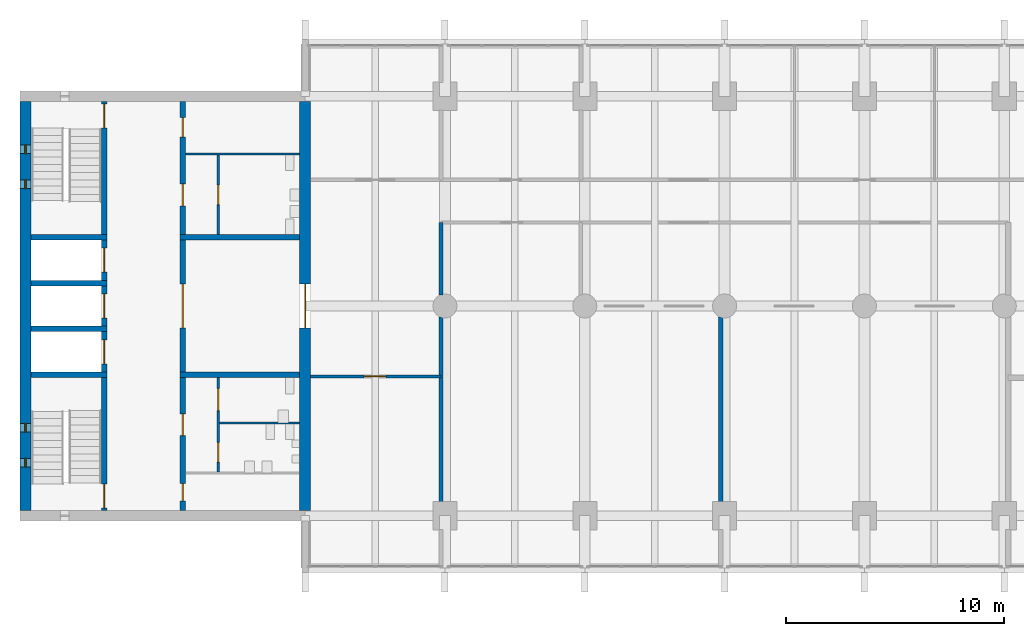
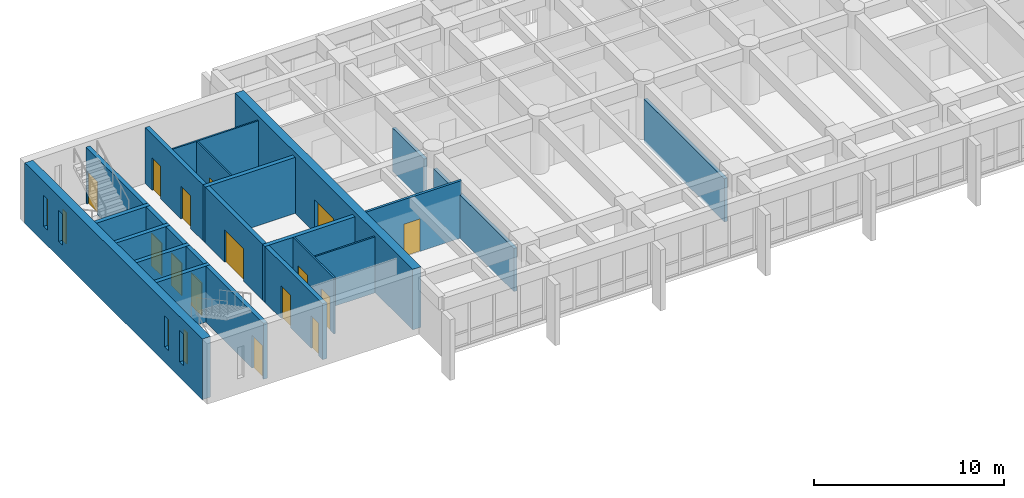
# One storey, part 11 of 19: 24 walls, 15 doors, 4 windows, 19 openings.
"""IFC4 building model written with IfcOpenShell, lengths in metres."""

import ifcopenshell
import ifcopenshell.guid

model = None  # the IFC model being written
_history = None  # IfcOwnerHistory: only IFC2X3 demands one
_inside = {}  # id of a spatial element -> (the spatial element, [elements in it])
_under = {}  # id of a project, library or spatial element -> (it, [spatial elements below it])
_declared = {}  # id of a project -> (the project, [libraries it declares])
_typed = {}  # id of a type object -> (the type object, [elements of that type])
_made_of = {}  # id of a material, layer set ... -> (it, [elements and type objects made of it])


def new_model(schema):
    """Start an empty IFC model of exactly this schema.

    Asked for "IFC4X3", IfcOpenShell would pick the latest addendum, in which some entities
    have other attributes; the version numbers below select the first issue.
    IFC2X3 requires an IfcOwnerHistory on every rooted entity: one is made here for all.
    """
    global model, _history
    if schema == "IFC4X3":
        model = ifcopenshell.file(schema_version=(4, 3, 0, 0))
    else:
        model = ifcopenshell.file(schema=schema)
    _inside.clear()
    _under.clear()
    _declared.clear()
    _typed.clear()
    _made_of.clear()
    _history = None
    if model.schema == "IFC2X3":
        org = make("IfcOrganization", Name="unknown")
        user = make(
            "IfcPersonAndOrganization",
            ThePerson=make("IfcPerson", FamilyName="unknown"),
            TheOrganization=org,
        )
        app = make(
            "IfcApplication",
            ApplicationDeveloper=org,
            Version="unknown",
            ApplicationFullName="unknown",
            ApplicationIdentifier="unknown",
        )
        _history = make(
            "IfcOwnerHistory",
            OwningUser=user,
            OwningApplication=app,
            ChangeAction="ADDED",
            CreationDate=0,
        )
    return model


def make(cls, **values):
    """One entity of the class cls with the attributes given. An attribute that is None is left unset."""
    return model.create_entity(
        cls, **{name: value for name, value in values.items() if value is not None}
    )


def rooted(cls, **values):
    """An entity with a GlobalId (a new one), such as an element, a storey or a relation."""
    return make(cls, GlobalId=ifcopenshell.guid.new(), OwnerHistory=_history, **values)


def si_unit(unit_type, name, prefix=None):
    """IfcSIUnit, for example si_unit("LENGTHUNIT", "METRE", prefix="MILLI")."""
    return make("IfcSIUnit", UnitType=unit_type, Prefix=prefix, Name=name)


def assignment(units):
    """IfcUnitAssignment: the units of a project."""
    return None if units is None else make("IfcUnitAssignment", Units=units)


def point(xyz):
    """IfcCartesianPoint."""
    return None if xyz is None else make("IfcCartesianPoint", Coordinates=xyz)


def direction(xyz):
    """IfcDirection."""
    return None if xyz is None else make("IfcDirection", DirectionRatios=xyz)


def frame(location, z_axis=None, x_axis=None):
    """IfcAxis2Placement3D, a coordinate frame: its origin and axes. An axis left out is left unset."""
    return make(
        "IfcAxis2Placement3D",
        Location=point(location),
        Axis=direction(z_axis),
        RefDirection=direction(x_axis),
    )


def frame_2d(location, x_axis=None):
    """IfcAxis2Placement2D, a coordinate frame in the plane: its origin and x axis."""
    return make(
        "IfcAxis2Placement2D", Location=point(location), RefDirection=direction(x_axis)
    )


def origin():
    """The frame at (0, 0, 0) with its axes left unset."""
    return frame((0.0, 0.0, 0.0))


def place(relative_to, where):
    """IfcLocalPlacement: puts the frame where relative to a parent placement (None: the world)."""
    return make(
        "IfcLocalPlacement", PlacementRelTo=relative_to, RelativePlacement=where
    )


def context(
    kind, dimensions, precision=None, world=None, true_north=None, identifier=None
):
    """IfcGeometricRepresentationContext, for example the 3D "Model" context."""
    return make(
        "IfcGeometricRepresentationContext",
        ContextIdentifier=identifier,
        ContextType=kind,
        CoordinateSpaceDimension=dimensions,
        Precision=precision,
        WorldCoordinateSystem=world,
        TrueNorth=true_north,
    )


def subcontext(parent, identifier, kind, view, scale=None):
    """IfcGeometricRepresentationSubContext, for example "Body" below "Model"."""
    return make(
        "IfcGeometricRepresentationSubContext",
        ContextIdentifier=identifier,
        ContextType=kind,
        ParentContext=parent,
        TargetScale=scale,
        TargetView=view,
    )


def project(units=None, contexts=None):
    """IfcProject with its units and contexts."""
    return rooted(
        "IfcProject",
        Name="project",
        RepresentationContexts=contexts,
        UnitsInContext=assignment(units),
    )


def spatial(cls, under=None, at=None, **own):
    """A site, building, storey or space (cls), placed at a placement, below another one or the project."""
    s = rooted(cls, ObjectPlacement=at, **own)
    if under is not None:
        _under.setdefault(under.id(), (under, []))[1].append(s)
    return s


def profile(cls, at=None, kind="AREA", **sizes):
    """A parametric profile (cls). Its sizes go by their IFC names, for example OverallWidth=200.0."""
    return make(cls, ProfileType=kind, Position=at, **sizes)


def rectangle(**sizes):
    """IfcRectangleProfileDef."""
    return profile("IfcRectangleProfileDef", **sizes)


def extrude(swept, where, along, depth):
    """IfcExtrudedAreaSolid: the profile swept, set in the frame where, extruded along a direction by depth."""
    return make(
        "IfcExtrudedAreaSolid",
        SweptArea=swept,
        Position=where,
        ExtrudedDirection=direction(along),
        Depth=depth,
    )


def shape(context_of_items, identifier, shape_type, items):
    """IfcShapeRepresentation: the items that make up one representation, for example the "Body"."""
    return make(
        "IfcShapeRepresentation",
        ContextOfItems=context_of_items,
        RepresentationIdentifier=identifier,
        RepresentationType=shape_type,
        Items=items,
    )


def material(Name=None, Category=None):
    """IfcMaterial."""
    return make("IfcMaterial", Name=Name, Category=Category)


def layer(
    of_material, thickness, ventilated=None, Name=None, Category=None, Priority=None
):
    """IfcMaterialLayer: one layer of a wall or slab, of a material (None: an air gap)."""
    return make(
        "IfcMaterialLayer",
        Material=of_material,
        LayerThickness=thickness,
        IsVentilated=ventilated,
        Name=Name,
        Category=Category,
        Priority=Priority,
    )


def layer_set(layers, Name=None):
    """IfcMaterialLayerSet."""
    return make("IfcMaterialLayerSet", MaterialLayers=layers, LayerSetName=Name)


def made_of(thing, what):
    """Note that an element or type object is made of a material, layer set ...; save() writes the relation."""
    if what is not None:
        _made_of.setdefault(what.id(), (what, []))[1].append(thing)
    return thing


def type_object(cls, material=None, **own):
    """A type object (cls), such as IfcWallType, which elements share."""
    return made_of(rooted(cls, **own), material)


def element(
    cls,
    number,
    at=None,
    inside=None,
    cuts=None,
    type_object=None,
    material=None,
    context=None,
    identifier="Body",
    shape_type=None,
    held_by="IfcProductDefinitionShape",
    body=None,
    shapes=None,
    **own,
):
    """One element of the class cls, such as IfcWall. Its Tag is "e" and its number.

    at: its placement. inside: the storey or other place that contains it. cuts: it is an
    opening in that element (IfcRelVoidsElement). A single representation is given by context,
    identifier, shape_type and body (its items); several are given by shapes. held_by: the class
    of the entity that holds the representations. save() writes the other relations.
    """
    e = rooted(cls, Tag="e%d" % number, ObjectPlacement=at, **own)
    if body is not None:
        shapes = [shape(context, identifier, shape_type, body)]
    if shapes is not None:
        e.Representation = make(held_by, Representations=shapes)
    if inside is not None:
        _inside.setdefault(inside.id(), (inside, []))[1].append(e)
    if cuts is not None:
        rooted(
            "IfcRelVoidsElement", RelatingBuildingElement=cuts, RelatedOpeningElement=e
        )
    if type_object is not None:
        _typed.setdefault(type_object.id(), (type_object, []))[1].append(e)
    return made_of(e, material)


def fill(opening, filler):
    """IfcRelFillsElement: the door or window that sits in an opening."""
    return rooted(
        "IfcRelFillsElement",
        RelatingOpeningElement=opening,
        RelatedBuildingElement=filler,
    )


def aggregate(whole, parts):
    """IfcRelAggregates: a whole, such as a stair, and the parts it consists of."""
    return rooted("IfcRelAggregates", RelatingObject=whole, RelatedObjects=parts)


def save(model, path):
    """Write the relations noted so far, then the file.

    IfcRelAggregates (storeys below a building ...), IfcRelContainedInSpatialStructure (elements
    in a storey), IfcRelDefinesByType, IfcRelAssociatesMaterial and IfcRelDeclares: one each for
    every whole, place, type object, material and project.
    """
    for whole, parts in _under.values():
        aggregate(whole, parts)
    for where, things in _inside.values():
        rooted(
            "IfcRelContainedInSpatialStructure",
            RelatedElements=things,
            RelatingStructure=where,
        )
    for kind, things in _typed.values():
        rooted("IfcRelDefinesByType", RelatedObjects=things, RelatingType=kind)
    for what, things in _made_of.values():
        rooted("IfcRelAssociatesMaterial", RelatedObjects=things, RelatingMaterial=what)
    for by, libraries in _declared.values():
        rooted("IfcRelDeclares", RelatingContext=by, RelatedDefinitions=libraries)
    model.write(path)


model = new_model("IFC4")

# Units and contexts
model_context = context("Model", 3, precision=1e-05, world=origin(), true_north=direction((0.0, 1.0)))
body_context = subcontext(model_context, "Body", "Model", "MODEL_VIEW")
ifc_project = project(units=[si_unit("LENGTHUNIT", "METRE"), si_unit("AREAUNIT", "SQUARE_METRE"), si_unit("VOLUMEUNIT", "CUBIC_METRE"), si_unit("PLANEANGLEUNIT", "RADIAN"), si_unit("MASSUNIT", "GRAM", prefix="KILO")], contexts=[model_context])

# Site, building, storey
site_placement = place(None, origin())
site = spatial("IfcSite", under=ifc_project, at=site_placement, CompositionType="ELEMENT")
building_placement = place(site_placement, origin())
building = spatial("IfcBuilding", under=site, at=building_placement, Name="Fogon Plaza Fire Station and Headquarters Tower", CompositionType="ELEMENT")
storey_placement = place(building_placement, frame((0.0, 0.0, 17.10009765625)))
storey = spatial("IfcBuildingStorey", under=building, at=storey_placement, Name="L04", CompositionType="ELEMENT", Elevation=17.10009765625)

# Walls
ifc_material_1 = material(Name="Concrete C40", Category="concrete")
ifc_layer_1 = layer(ifc_material_1, 0.25)
ifc_layer_set_1 = layer_set([ifc_layer_1], Name="Concrete C40")
wall_type_1 = type_object("IfcWallType", Name="Core Wall RC 250", PredefinedType="SOLIDWALL", material=ifc_layer_set_1)
for number, where, z_axis, x_axis, name in (
    (1, (13.050048828125, 40.050048828125, 0.0), (0.0, 0.0, 1.0), (1.0, 0.0, 0.0), "Core A shaft wall"),
    (2, (13.050048828125, 42.14990234375, 0.0), (0.0, 0.0, 1.0), (1.0, 0.0, 0.0), "Core A shaft wall"),
    (3, (13.050048828125, 44.25, 0.0), (0.0, 0.0, 1.0), (1.0, 0.0, 0.0), "Core A shaft wall"),
    (4, (13.050048828125, 46.35009765625, 0.0), (0.0, 0.0, 1.0), (1.0, 0.0, 0.0), "Core A shaft wall"),
):
    element("IfcWall", number, at=place(storey_placement, frame(where, z_axis=z_axis, x_axis=x_axis)), inside=storey, type_object=wall_type_1, Name=name, PredefinedType="SOLIDWALL", context=body_context, shape_type="SweptSolid", body=[
        extrude(rectangle(XDim=3.474853515625, YDim=0.25, at=frame_2d((1.7373046875, 0.0))), origin(), (0.0, 0.0, 1.0), 3.599853515625),
    ])

# Wall, opening, door
wall_1_placement = place(storey_placement, frame((16.39990234375, 33.85009765625, 0.0), z_axis=(0.0, 0.0, 1.0), x_axis=(0.0, 1.0, 0.0)))
wall_1 = element("IfcWall", 5, at=wall_1_placement, inside=storey, type_object=wall_type_1, Name="Core A shaft wall", PredefinedType="SOLIDWALL", context=body_context, shape_type="SweptSolid", body=[
    extrude(rectangle(XDim=6.074951171875, YDim=0.25, at=frame_2d((3.03759765625, 0.0))), origin(), (0.0, 0.0, 1.0), 3.599853515625),
])
opening_1_placement = place(wall_1_placement, frame((0.10009765625, 0.0, 0.0)))
opening_1 = element("IfcOpeningElement", 6, at=opening_1_placement, cuts=wall_1, Name="Opening L04-D01", PredefinedType="OPENING", context=body_context, shape_type="SweptSolid", body=[
    extrude(rectangle(XDim=1.10009765625, YDim=2.10009765625, at=frame_2d((0.550048828125, 1.050048828125))), frame((0.0, 0.135009765625, 0.0), z_axis=(0.0, -1.0, 0.0), x_axis=(1.0, 0.0, 0.0)), (0.0, 0.0, 1.0), 0.27001953125),
])
ifc_material_2 = material(Name="Steel Fire Door Leaf", Category="steel")
door_type_1 = type_object("IfcDoorType", Name="Stair Door Single 1100x2100", OperationType="SINGLE_SWING_LEFT", PredefinedType="DOOR", material=ifc_material_2)
door_1_placement = place(opening_1_placement, origin())
door_1 = element("IfcDoor", 7, at=door_1_placement, inside=storey, type_object=door_type_1, Name="Stair door ST1", OperationType="SINGLE_SWING_LEFT", OverallHeight=2.10009765625, OverallWidth=1.10009765625, PredefinedType="DOOR", context=body_context, shape_type="SweptSolid", body=[
    extrude(rectangle(XDim=1.10009765625, YDim=2.10009765625, at=frame_2d((0.550048828125, 1.050048828125))), frame((0.0, 0.02490234375, 0.0), z_axis=(0.0, -1.0, 0.0), x_axis=(1.0, 0.0, 0.0)), (0.0, 0.0, 1.0), 0.050048828125),
])
fill(opening_1, door_1)

wall_2_placement = place(storey_placement, frame((16.39990234375, 40.175048828125, 0.0), z_axis=(0.0, 0.0, 1.0), x_axis=(0.0, 1.0, 0.0)))
wall_2 = element("IfcWall", 8, at=wall_2_placement, inside=storey, type_object=wall_type_1, Name="Core A shaft wall", PredefinedType="SOLIDWALL", context=body_context, shape_type="SweptSolid", body=[
    extrude(rectangle(XDim=1.849853515625, YDim=0.25, at=frame_2d((0.9248046875, 0.0))), origin(), (0.0, 0.0, 1.0), 3.599853515625),
])
opening_2_placement = place(wall_2_placement, frame((0.375, 0.0, 0.0)))
opening_2 = element("IfcOpeningElement", 9, at=opening_2_placement, cuts=wall_2, Name="Opening L04-D03", PredefinedType="OPENING", context=body_context, shape_type="SweptSolid", body=[
    extrude(rectangle(XDim=1.10009765625, YDim=2.10009765625, at=frame_2d((0.550048828125, 1.050048828125))), frame((0.0, 0.135009765625, 0.0), z_axis=(0.0, -1.0, 0.0), x_axis=(1.0, 0.0, 0.0)), (0.0, 0.0, 1.0), 0.27001953125),
])
ifc_material_3 = material(Name="Stainless Steel", Category="steel")
door_type_2 = type_object("IfcDoorType", Name="Lift Landing Door 1100x2100", OperationType="SLIDING_TO_LEFT", PredefinedType="DOOR", material=ifc_material_3)
door_2_placement = place(opening_2_placement, origin())
door_2 = element("IfcDoor", 10, at=door_2_placement, inside=storey, type_object=door_type_2, Name="Lift LP1 landing door", OperationType="SLIDING_TO_LEFT", OverallHeight=2.10009765625, OverallWidth=1.10009765625, PredefinedType="DOOR", context=body_context, shape_type="SweptSolid", body=[
    extrude(rectangle(XDim=1.10009765625, YDim=2.10009765625, at=frame_2d((0.550048828125, 1.050048828125))), frame((0.0, 0.02490234375, 0.0), z_axis=(0.0, -1.0, 0.0), x_axis=(1.0, 0.0, 0.0)), (0.0, 0.0, 1.0), 0.050048828125),
])
fill(opening_2, door_2)

wall_3_placement = place(storey_placement, frame((16.39990234375, 42.27490234375, 0.0), z_axis=(0.0, 0.0, 1.0), x_axis=(0.0, 1.0, 0.0)))
wall_3 = element("IfcWall", 11, at=wall_3_placement, inside=storey, type_object=wall_type_1, Name="Core A shaft wall", PredefinedType="SOLIDWALL", context=body_context, shape_type="SweptSolid", body=[
    extrude(rectangle(XDim=1.85009765625, YDim=0.25, at=frame_2d((0.925048828125, 0.0))), origin(), (0.0, 0.0, 1.0), 3.599853515625),
])
opening_3_placement = place(wall_3_placement, frame((0.375, 0.0, 0.0)))
opening_3 = element("IfcOpeningElement", 12, at=opening_3_placement, cuts=wall_3, Name="Opening L04-D04", PredefinedType="OPENING", context=body_context, shape_type="SweptSolid", body=[
    extrude(rectangle(XDim=1.10009765625, YDim=2.10009765625, at=frame_2d((0.550048828125, 1.050048828125))), frame((0.0, 0.135009765625, 0.0), z_axis=(0.0, -1.0, 0.0), x_axis=(1.0, 0.0, 0.0)), (0.0, 0.0, 1.0), 0.27001953125),
])
door_3_placement = place(opening_3_placement, origin())
door_3 = element("IfcDoor", 13, at=door_3_placement, inside=storey, type_object=door_type_2, Name="Lift LP2 landing door", OperationType="SLIDING_TO_LEFT", OverallHeight=2.10009765625, OverallWidth=1.10009765625, PredefinedType="DOOR", context=body_context, shape_type="SweptSolid", body=[
    extrude(rectangle(XDim=1.10009765625, YDim=2.10009765625, at=frame_2d((0.550048828125, 1.050048828125))), frame((0.0, 0.02490234375, 0.0), z_axis=(0.0, -1.0, 0.0), x_axis=(1.0, 0.0, 0.0)), (0.0, 0.0, 1.0), 0.050048828125),
])
fill(opening_3, door_3)

wall_4_placement = place(storey_placement, frame((16.39990234375, 44.375, 0.0), z_axis=(0.0, 0.0, 1.0), x_axis=(0.0, 1.0, 0.0)))
wall_4 = element("IfcWall", 14, at=wall_4_placement, inside=storey, type_object=wall_type_1, Name="Core A shaft wall", PredefinedType="SOLIDWALL", context=body_context, shape_type="SweptSolid", body=[
    extrude(rectangle(XDim=1.85009765625, YDim=0.25, at=frame_2d((0.925048828125, 0.0))), origin(), (0.0, 0.0, 1.0), 3.599853515625),
])
opening_4_placement = place(wall_4_placement, frame((0.375, 0.0, 0.0)))
opening_4 = element("IfcOpeningElement", 15, at=opening_4_placement, cuts=wall_4, Name="Opening L04-D05", PredefinedType="OPENING", context=body_context, shape_type="SweptSolid", body=[
    extrude(rectangle(XDim=1.10009765625, YDim=2.10009765625, at=frame_2d((0.550048828125, 1.050048828125))), frame((0.0, 0.135009765625, 0.0), z_axis=(0.0, -1.0, 0.0), x_axis=(1.0, 0.0, 0.0)), (0.0, 0.0, 1.0), 0.27001953125),
])
door_4_placement = place(opening_4_placement, origin())
door_4 = element("IfcDoor", 16, at=door_4_placement, inside=storey, type_object=door_type_2, Name="Lift FL1 landing door", OperationType="SLIDING_TO_LEFT", OverallHeight=2.10009765625, OverallWidth=1.10009765625, PredefinedType="DOOR", context=body_context, shape_type="SweptSolid", body=[
    extrude(rectangle(XDim=1.10009765625, YDim=2.10009765625, at=frame_2d((0.550048828125, 1.050048828125))), frame((0.0, 0.02490234375, 0.0), z_axis=(0.0, -1.0, 0.0), x_axis=(1.0, 0.0, 0.0)), (0.0, 0.0, 1.0), 0.050048828125),
])
fill(opening_4, door_4)

wall_5_placement = place(storey_placement, frame((16.39990234375, 46.47509765625, 0.0), z_axis=(0.0, 0.0, 1.0), x_axis=(0.0, 1.0, 0.0)))
wall_5 = element("IfcWall", 17, at=wall_5_placement, inside=storey, type_object=wall_type_1, Name="Core A shaft wall", PredefinedType="SOLIDWALL", context=body_context, shape_type="SweptSolid", body=[
    extrude(rectangle(XDim=6.074951171875, YDim=0.25, at=frame_2d((3.03759765625, 0.0))), origin(), (0.0, 0.0, 1.0), 3.599853515625),
])
opening_5_placement = place(wall_5_placement, frame((4.875, 0.0, 0.0)))
opening_5 = element("IfcOpeningElement", 18, at=opening_5_placement, cuts=wall_5, Name="Opening L04-D02", PredefinedType="OPENING", context=body_context, shape_type="SweptSolid", body=[
    extrude(rectangle(XDim=1.10009765625, YDim=2.10009765625, at=frame_2d((0.550048828125, 1.050048828125))), frame((0.0, 0.135009765625, 0.0), z_axis=(0.0, -1.0, 0.0), x_axis=(1.0, 0.0, 0.0)), (0.0, 0.0, 1.0), 0.27001953125),
])
door_5_placement = place(opening_5_placement, origin())
door_5 = element("IfcDoor", 19, at=door_5_placement, inside=storey, type_object=door_type_1, Name="Stair door ST2", OperationType="SINGLE_SWING_RIGHT", OverallHeight=2.10009765625, OverallWidth=1.10009765625, PredefinedType="DOOR", context=body_context, shape_type="SweptSolid", body=[
    extrude(rectangle(XDim=1.10009765625, YDim=2.10009765625, at=frame_2d((0.550048828125, 1.050048828125))), frame((0.0, 0.02490234375, 0.0), z_axis=(0.0, -1.0, 0.0), x_axis=(1.0, 0.0, 0.0)), (0.0, 0.0, 1.0), 0.050048828125),
])
fill(opening_5, door_5)

# Wall, openings, doors
wall_6_placement = place(storey_placement, frame((20.0, 33.85009765625, 0.0), z_axis=(0.0, 0.0, 1.0), x_axis=(0.0, 1.0, 0.0)))
wall_6 = element("IfcWall", 20, at=wall_6_placement, inside=storey, type_object=wall_type_1, Name="Core A shaft wall", PredefinedType="SOLIDWALL", context=body_context, shape_type="SweptSolid", body=[
    extrude(rectangle(XDim=6.074951171875, YDim=0.25, at=frame_2d((3.03759765625, 0.0))), origin(), (0.0, 0.0, 1.0), 3.599853515625),
])
opening_6_placement = place(wall_6_placement, frame((0.425048828125, 0.0, 0.0)))
opening_6 = element("IfcOpeningElement", 21, at=opening_6_placement, cuts=wall_6, Name="Opening L04-D08", PredefinedType="OPENING", context=body_context, shape_type="SweptSolid", body=[
    extrude(rectangle(XDim=0.800048828125, YDim=2.10009765625, at=frame_2d((0.39990234375, 1.050048828125))), frame((0.0, 0.135009765625, 0.0), z_axis=(0.0, -1.0, 0.0), x_axis=(1.0, 0.0, 0.0)), (0.0, 0.0, 1.0), 0.27001953125),
])
opening_7_placement = place(wall_6_placement, frame((3.41259765625, 0.0, 0.0)))
opening_7 = element("IfcOpeningElement", 22, at=opening_7_placement, cuts=wall_6, Name="Opening L04-D09", PredefinedType="OPENING", context=body_context, shape_type="SweptSolid", body=[
    extrude(rectangle(XDim=1.0, YDim=2.10009765625, at=frame_2d((0.5, 1.050048828125))), frame((0.0, 0.135009765625, 0.0), z_axis=(0.0, -1.0, 0.0), x_axis=(1.0, 0.0, 0.0)), (0.0, 0.0, 1.0), 0.27001953125),
])
ifc_material_4 = material(Name="Timber Door Leaf", Category="wood")
door_type_3 = type_object("IfcDoorType", Name="Cleaner Store Single 800x2100", OperationType="SINGLE_SWING_LEFT", PredefinedType="DOOR", material=ifc_material_4)
door_6_placement = place(opening_6_placement, frame((0.800048828125, 0.0, 0.0), z_axis=(0.0, 0.0, 1.0), x_axis=(-1.0, 0.0, 0.0)))
door_6 = element("IfcDoor", 23, at=door_6_placement, inside=storey, type_object=door_type_3, Name="Cleaner's store A door", OperationType="SINGLE_SWING_RIGHT", OverallHeight=2.10009765625, OverallWidth=0.800048828125, PredefinedType="DOOR", context=body_context, shape_type="SweptSolid", body=[
    extrude(rectangle(XDim=0.800048828125, YDim=2.10009765625, at=frame_2d((0.39990234375, 1.050048828125))), frame((0.0, 0.02490234375, 0.0), z_axis=(0.0, -1.0, 0.0), x_axis=(1.0, 0.0, 0.0)), (0.0, 0.0, 1.0), 0.050048828125),
])
fill(opening_6, door_6)
ifc_material_5 = material(Name="Timber fire door", Category="wood")
door_type_4 = type_object("IfcDoorType", Name="WC Lobby Single 1000x2100", OperationType="SINGLE_SWING_LEFT", PredefinedType="DOOR", material=ifc_material_5)
door_7_placement = place(opening_7_placement, frame((1.0, 0.0, 0.0), z_axis=(0.0, 0.0, 1.0), x_axis=(-1.0, 0.0, 0.0)))
door_7 = element("IfcDoor", 24, at=door_7_placement, inside=storey, type_object=door_type_4, Name="Men's WC lobby A door", OperationType="SINGLE_SWING_LEFT", OverallHeight=2.10009765625, OverallWidth=1.0, PredefinedType="DOOR", context=body_context, shape_type="SweptSolid", body=[
    extrude(rectangle(XDim=1.0, YDim=2.10009765625, at=frame_2d((0.5, 1.050048828125))), frame((0.0, 0.02490234375, 0.0), z_axis=(0.0, -1.0, 0.0), x_axis=(1.0, 0.0, 0.0)), (0.0, 0.0, 1.0), 0.050048828125),
])
fill(opening_7, door_7)

# Wall, opening, door
wall_7_placement = place(storey_placement, frame((20.0, 40.175048828125, 0.0), z_axis=(0.0, 0.0, 1.0), x_axis=(0.0, 1.0, 0.0)))
wall_7 = element("IfcWall", 25, at=wall_7_placement, inside=storey, type_object=wall_type_1, Name="Core A shaft wall", PredefinedType="SOLIDWALL", context=body_context, shape_type="SweptSolid", body=[
    extrude(rectangle(XDim=6.050048828125, YDim=0.25, at=frame_2d((3.02490234375, 0.0))), origin(), (0.0, 0.0, 1.0), 3.599853515625),
])
opening_8_placement = place(wall_7_placement, frame((2.02490234375, 0.0, 0.0)))
opening_8 = element("IfcOpeningElement", 26, at=opening_8_placement, cuts=wall_7, Name="Opening L04-D06", PredefinedType="OPENING", context=body_context, shape_type="SweptSolid", body=[
    extrude(rectangle(XDim=2.0, YDim=2.10009765625, at=frame_2d((1.0, 1.050048828125))), frame((0.0, 0.135009765625, 0.0), z_axis=(0.0, -1.0, 0.0), x_axis=(1.0, 0.0, 0.0)), (0.0, 0.0, 1.0), 0.27001953125),
])
ifc_material_6 = material(Name="Steel Fire Door Leaf", Category="steel")
door_type_5 = type_object("IfcDoorType", Name="Vestibule Double 2000x2100", OperationType="DOUBLE_DOOR_SINGLE_SWING", PredefinedType="DOOR", material=ifc_material_6)
door_8_placement = place(opening_8_placement, frame((2.0, 0.0, 0.0), z_axis=(0.0, 0.0, 1.0), x_axis=(-1.0, 0.0, 0.0)))
door_8 = element("IfcDoor", 27, at=door_8_placement, inside=storey, type_object=door_type_5, Name="Vestibule A door", OperationType="DOUBLE_DOOR_SINGLE_SWING", OverallHeight=2.10009765625, OverallWidth=2.0, PredefinedType="DOOR", context=body_context, shape_type="SweptSolid", body=[
    extrude(rectangle(XDim=2.0, YDim=2.10009765625, at=frame_2d((1.0, 1.050048828125))), frame((0.0, 0.02490234375, 0.0), z_axis=(0.0, -1.0, 0.0), x_axis=(1.0, 0.0, 0.0)), (0.0, 0.0, 1.0), 0.050048828125),
])
fill(opening_8, door_8)

# Wall, openings, doors
wall_8_placement = place(storey_placement, frame((20.0, 46.47509765625, 0.0), z_axis=(0.0, 0.0, 1.0), x_axis=(0.0, 1.0, 0.0)))
wall_8 = element("IfcWall", 28, at=wall_8_placement, inside=storey, type_object=wall_type_1, Name="Core A shaft wall", PredefinedType="SOLIDWALL", context=body_context, shape_type="SweptSolid", body=[
    extrude(rectangle(XDim=6.074951171875, YDim=0.25, at=frame_2d((3.03759765625, 0.0))), origin(), (0.0, 0.0, 1.0), 3.599853515625),
])
opening_9_placement = place(wall_8_placement, frame((1.3125, 0.0, 0.0)))
opening_9 = element("IfcOpeningElement", 29, at=opening_9_placement, cuts=wall_8, Name="Opening L04-D12", PredefinedType="OPENING", context=body_context, shape_type="SweptSolid", body=[
    extrude(rectangle(XDim=1.0, YDim=2.10009765625, at=frame_2d((0.5, 1.050048828125))), frame((0.0, 0.135009765625, 0.0), z_axis=(0.0, -1.0, 0.0), x_axis=(1.0, 0.0, 0.0)), (0.0, 0.0, 1.0), 0.27001953125),
])
opening_10_placement = place(wall_8_placement, frame((4.449951171875, 0.0, 0.0)))
opening_10 = element("IfcOpeningElement", 30, at=opening_10_placement, cuts=wall_8, Name="Opening L04-D14", PredefinedType="OPENING", context=body_context, shape_type="SweptSolid", body=[
    extrude(rectangle(XDim=0.89990234375, YDim=2.10009765625, at=frame_2d((0.449951171875, 1.050048828125))), frame((0.0, 0.135009765625, 0.0), z_axis=(0.0, -1.0, 0.0), x_axis=(1.0, 0.0, 0.0)), (0.0, 0.0, 1.0), 0.27001953125),
])
ifc_material_7 = material(Name="Steel Fire Door Leaf", Category="steel")
door_type_6 = type_object("IfcDoorType", Name="Riser Single 900x2100", OperationType="SINGLE_SWING_LEFT", PredefinedType="DOOR", material=ifc_material_7)
door_9_placement = place(opening_10_placement, frame((0.89990234375, 0.0, 0.0), z_axis=(0.0, 0.0, 1.0), x_axis=(-1.0, 0.0, 0.0)))
door_9 = element("IfcDoor", 31, at=door_9_placement, inside=storey, type_object=door_type_6, Name="Riser room A door", OperationType="SINGLE_SWING_RIGHT", OverallHeight=2.10009765625, OverallWidth=0.89990234375, PredefinedType="DOOR", context=body_context, shape_type="SweptSolid", body=[
    extrude(rectangle(XDim=0.89990234375, YDim=2.10009765625, at=frame_2d((0.449951171875, 1.050048828125))), frame((0.0, 0.02490234375, 0.0), z_axis=(0.0, -1.0, 0.0), x_axis=(1.0, 0.0, 0.0)), (0.0, 0.0, 1.0), 0.050048828125),
])
fill(opening_10, door_9)
door_10_placement = place(opening_9_placement, frame((1.0, 0.0, 0.0), z_axis=(0.0, 0.0, 1.0), x_axis=(-1.0, 0.0, 0.0)))
door_10 = element("IfcDoor", 32, at=door_10_placement, inside=storey, type_object=door_type_4, Name="Women's WC lobby A door", OperationType="SINGLE_SWING_RIGHT", OverallHeight=2.10009765625, OverallWidth=1.0, PredefinedType="DOOR", context=body_context, shape_type="SweptSolid", body=[
    extrude(rectangle(XDim=1.0, YDim=2.10009765625, at=frame_2d((0.5, 1.050048828125))), frame((0.0, 0.02490234375, 0.0), z_axis=(0.0, -1.0, 0.0), x_axis=(1.0, 0.0, 0.0)), (0.0, 0.0, 1.0), 0.050048828125),
])
fill(opening_9, door_10)

# Walls
for number, where, z_axis, x_axis, name in (
    (33, (19.875, 40.050048828125, 0.0), (0.0, 0.0, 1.0), (1.0, 0.0, 0.0), "Core A shaft wall"),
    (34, (19.875, 46.35009765625, 0.0), (0.0, 0.0, 1.0), (1.0, 0.0, 0.0), "Core A shaft wall"),
):
    element("IfcWall", number, at=place(storey_placement, frame(where, z_axis=z_axis, x_axis=x_axis)), inside=storey, type_object=wall_type_1, Name=name, PredefinedType="SOLIDWALL", context=body_context, shape_type="SweptSolid", body=[
        extrude(rectangle(XDim=5.47509765625, YDim=0.25, at=frame_2d((2.737548828125, 0.0))), origin(), (0.0, 0.0, 1.0), 3.599853515625),
    ])

# Wall, openings, doors
ifc_material_8 = material(Name="Blockwork", Category="masonry")
ifc_layer_2 = layer(ifc_material_8, 0.10009765625)
ifc_layer_set_2 = layer_set([ifc_layer_2], Name="Blockwork")
wall_type_2 = type_object("IfcWallType", Name="Partition Blockwork 100", PredefinedType="PARTITIONING", material=ifc_layer_set_2)
wall_9_placement = place(storey_placement, frame((21.625, 35.60009765625, 0.0), z_axis=(0.0, 0.0, 1.0), x_axis=(0.0, 1.0, 0.0)))
wall_9 = element("IfcWall", 35, at=wall_9_placement, inside=storey, type_object=wall_type_2, Name="WC block partition", PredefinedType="PARTITIONING", context=body_context, shape_type="SweptSolid", body=[
    extrude(rectangle(XDim=4.324951171875, YDim=0.10009765625, at=frame_2d((2.16259765625, 0.0))), origin(), (0.0, 0.0, 1.0), 3.599853515625),
])
opening_11_placement = place(wall_9_placement, frame((0.449951171875, 0.0, 0.0)))
opening_11 = element("IfcOpeningElement", 36, at=opening_11_placement, cuts=wall_9, Name="Opening L04-D10", PredefinedType="OPENING", context=body_context, shape_type="SweptSolid", body=[
    extrude(rectangle(XDim=0.89990234375, YDim=2.10009765625, at=frame_2d((0.449951171875, 1.050048828125))), frame((0.0, 0.06005859375, 0.0), z_axis=(0.0, -1.0, 0.0), x_axis=(1.0, 0.0, 0.0)), (0.0, 0.0, 1.0), 0.1201171875),
])
opening_12_placement = place(wall_9_placement, frame((2.8125, 0.0, 0.0)))
opening_12 = element("IfcOpeningElement", 37, at=opening_12_placement, cuts=wall_9, Name="Opening L04-D11", PredefinedType="OPENING", context=body_context, shape_type="SweptSolid", body=[
    extrude(rectangle(XDim=1.0, YDim=2.10009765625, at=frame_2d((0.5, 1.050048828125))), frame((0.0, 0.06005859375, 0.0), z_axis=(0.0, -1.0, 0.0), x_axis=(1.0, 0.0, 0.0)), (0.0, 0.0, 1.0), 0.1201171875),
])
ifc_material_9 = material(Name="Timber Door Leaf", Category="wood")
door_type_7 = type_object("IfcDoorType", Name="Accessible WC Single 1000x2100", OperationType="SINGLE_SWING_LEFT", PredefinedType="DOOR", material=ifc_material_9)
door_11_placement = place(opening_12_placement, frame((1.0, 0.0, 0.0), z_axis=(0.0, 0.0, 1.0), x_axis=(-1.0, 0.0, 0.0)))
door_11 = element("IfcDoor", 38, at=door_11_placement, inside=storey, type_object=door_type_7, Name="Accessible WC A door", OperationType="SINGLE_SWING_LEFT", OverallHeight=2.10009765625, OverallWidth=1.0, PredefinedType="DOOR", context=body_context, shape_type="SweptSolid", body=[
    extrude(rectangle(XDim=1.0, YDim=2.10009765625, at=frame_2d((0.5, 1.050048828125))), frame((0.0, 0.02490234375, 0.0), z_axis=(0.0, -1.0, 0.0), x_axis=(1.0, 0.0, 0.0)), (0.0, 0.0, 1.0), 0.050048828125),
])
fill(opening_12, door_11)
ifc_material_10 = material(Name="Timber Door Leaf", Category="wood")
door_type_8 = type_object("IfcDoorType", Name="WC Single 900x2100", OperationType="SINGLE_SWING_LEFT", PredefinedType="DOOR", material=ifc_material_10)
door_12_placement = place(opening_11_placement, frame((0.89990234375, 0.0, 0.0), z_axis=(0.0, 0.0, 1.0), x_axis=(-1.0, 0.0, 0.0)))
door_12 = element("IfcDoor", 39, at=door_12_placement, inside=storey, type_object=door_type_8, Name="Men's WC A door", OperationType="SINGLE_SWING_RIGHT", OverallHeight=2.10009765625, OverallWidth=0.89990234375, PredefinedType="DOOR", context=body_context, shape_type="SweptSolid", body=[
    extrude(rectangle(XDim=0.89990234375, YDim=2.10009765625, at=frame_2d((0.449951171875, 1.050048828125))), frame((0.0, 0.02490234375, 0.0), z_axis=(0.0, -1.0, 0.0), x_axis=(1.0, 0.0, 0.0)), (0.0, 0.0, 1.0), 0.050048828125),
])
fill(opening_11, door_12)

# Wall
wall_10_placement = place(storey_placement, frame((21.675048828125, 37.85009765625, 0.0), z_axis=(0.0, 0.0, 1.0), x_axis=(1.0, 0.0, 0.0)))
element("IfcWall", 40, at=wall_10_placement, inside=storey, type_object=wall_type_2, Name="WC block partition", PredefinedType="PARTITIONING", context=body_context, shape_type="SweptSolid", body=[
    extrude(rectangle(XDim=3.675048828125, YDim=0.10009765625, at=frame_2d((1.83740234375, 0.0))), origin(), (0.0, 0.0, 1.0), 3.599853515625),
])

# Wall, opening, door
wall_11_placement = place(storey_placement, frame((21.625, 46.47509765625, 0.0), z_axis=(0.0, 0.0, 1.0), x_axis=(0.0, 1.0, 0.0)))
wall_11 = element("IfcWall", 41, at=wall_11_placement, inside=storey, type_object=wall_type_2, Name="WC block partition", PredefinedType="PARTITIONING", context=body_context, shape_type="SweptSolid", body=[
    extrude(rectangle(XDim=3.625, YDim=0.10009765625, at=frame_2d((1.8125, 0.0))), origin(), (0.0, 0.0, 1.0), 3.599853515625),
])
opening_13_placement = place(wall_11_placement, frame((1.362548828125, 0.0, 0.0)))
opening_13 = element("IfcOpeningElement", 42, at=opening_13_placement, cuts=wall_11, Name="Opening L04-D13", PredefinedType="OPENING", context=body_context, shape_type="SweptSolid", body=[
    extrude(rectangle(XDim=0.89990234375, YDim=2.10009765625, at=frame_2d((0.449951171875, 1.050048828125))), frame((0.0, 0.06005859375, 0.0), z_axis=(0.0, -1.0, 0.0), x_axis=(1.0, 0.0, 0.0)), (0.0, 0.0, 1.0), 0.1201171875),
])
door_13_placement = place(opening_13_placement, frame((0.89990234375, 0.0, 0.0), z_axis=(0.0, 0.0, 1.0), x_axis=(-1.0, 0.0, 0.0)))
door_13 = element("IfcDoor", 43, at=door_13_placement, inside=storey, type_object=door_type_8, Name="Women's WC A door", OperationType="SINGLE_SWING_LEFT", OverallHeight=2.10009765625, OverallWidth=0.89990234375, PredefinedType="DOOR", context=body_context, shape_type="SweptSolid", body=[
    extrude(rectangle(XDim=0.89990234375, YDim=2.10009765625, at=frame_2d((0.449951171875, 1.050048828125))), frame((0.0, 0.02490234375, 0.0), z_axis=(0.0, -1.0, 0.0), x_axis=(1.0, 0.0, 0.0)), (0.0, 0.0, 1.0), 0.050048828125),
])
fill(opening_13, door_13)

# Wall
ifc_material_11 = material(Name="Blockwork", Category="masonry")
ifc_layer_3 = layer(ifc_material_11, 0.10009765625)
ifc_layer_set_3 = layer_set([ifc_layer_3], Name="Blockwork")
wall_type_3 = type_object("IfcWallType", Name="Riser Partition Blockwork 100", PredefinedType="PARTITIONING", material=ifc_layer_set_3)
wall_12_placement = place(storey_placement, frame((20.125, 50.14990234375, 0.0), z_axis=(0.0, 0.0, 1.0), x_axis=(1.0, 0.0, 0.0)))
element("IfcWall", 44, at=wall_12_placement, inside=storey, type_object=wall_type_3, Name="Riser room partition", PredefinedType="PARTITIONING", context=body_context, shape_type="SweptSolid", body=[
    extrude(rectangle(XDim=5.22509765625, YDim=0.10009765625, at=frame_2d((2.612548828125, 0.0))), origin(), (0.0, 0.0, 1.0), 3.599853515625),
])

# Wall, opening, door
ifc_material_12 = material(Name="Concrete C40", Category="concrete")
ifc_layer_4 = layer(ifc_material_12, 0.5)
ifc_layer_set_4 = layer_set([ifc_layer_4], Name="Concrete C40")
wall_type_4 = type_object("IfcWallType", Name="Shear wall 500 SW50", PredefinedType="SHEAR", material=ifc_layer_set_4)
wall_13_placement = place(storey_placement, frame((25.60009765625, 33.85009765625, 0.0), z_axis=(0.0, 0.0, 1.0), x_axis=(0.0, 1.0, 0.0)))
wall_13 = element("IfcWall", 45, at=wall_13_placement, inside=storey, type_object=wall_type_4, Name="wall-coreA-E-L04", PredefinedType="SHEAR", context=body_context, shape_type="SweptSolid", body=[
    extrude(rectangle(XDim=18.699951171875, YDim=0.5, at=frame_2d((9.35009765625, 0.0))), origin(), (0.0, 0.0, 1.0), 3.89990234375),
])
opening_14_placement = place(wall_13_placement, frame((8.35009765625, 0.0, 0.0)))
opening_14 = element("IfcOpeningElement", 46, at=opening_14_placement, cuts=wall_13, Name="Opening L04-D07", PredefinedType="OPENING", context=body_context, shape_type="SweptSolid", body=[
    extrude(rectangle(XDim=2.0, YDim=2.10009765625, at=frame_2d((1.0, 1.050048828125))), frame((0.0, 0.260009765625, 0.0), z_axis=(0.0, -1.0, 0.0), x_axis=(1.0, 0.0, 0.0)), (0.0, 0.0, 1.0), 0.52001953125),
])
door_14_placement = place(opening_14_placement, origin())
door_14 = element("IfcDoor", 47, at=door_14_placement, inside=storey, type_object=door_type_5, Name="Vestibule A door to the office zone", OperationType="DOUBLE_DOOR_SINGLE_SWING", OverallHeight=2.10009765625, OverallWidth=2.0, PredefinedType="DOOR", context=body_context, shape_type="SweptSolid", body=[
    extrude(rectangle(XDim=2.0, YDim=2.10009765625, at=frame_2d((1.0, 1.050048828125))), frame((0.0, 0.02490234375, 0.0), z_axis=(0.0, -1.0, 0.0), x_axis=(1.0, 0.0, 0.0)), (0.0, 0.0, 1.0), 0.050048828125),
])
fill(opening_14, door_14)

# Wall, openings, windows
wall_14_placement = place(storey_placement, frame((12.800048828125, 33.85009765625, 0.0), z_axis=(0.0, 0.0, 1.0), x_axis=(0.0, 1.0, 0.0)))
wall_14 = element("IfcWall", 48, at=wall_14_placement, inside=storey, type_object=wall_type_4, Name="wall-coreA-W-L04", PredefinedType="SHEAR", context=body_context, shape_type="SweptSolid", body=[
    extrude(rectangle(XDim=18.699951171875, YDim=0.5, at=frame_2d((9.35009765625, 0.0))), origin(), (0.0, 0.0, 1.0), 3.89990234375),
])
opening_15_placement = place(wall_14_placement, frame((1.97509765625, 0.0, 1.0)))
opening_15 = element("IfcOpeningElement", 49, at=opening_15_placement, cuts=wall_14, Name="Opening WS1", PredefinedType="OPENING", context=body_context, shape_type="SweptSolid", body=[
    extrude(rectangle(XDim=0.39990234375, YDim=2.0, at=frame_2d((0.199951171875, 1.0))), frame((0.0, 0.260009765625, 0.0), z_axis=(0.0, -1.0, 0.0), x_axis=(1.0, 0.0, 0.0)), (0.0, 0.0, 1.0), 0.52001953125),
])
opening_16_placement = place(wall_14_placement, frame((3.574951171875, 0.0, 1.0)))
opening_16 = element("IfcOpeningElement", 50, at=opening_16_placement, cuts=wall_14, Name="Opening WS1", PredefinedType="OPENING", context=body_context, shape_type="SweptSolid", body=[
    extrude(rectangle(XDim=0.39990234375, YDim=2.0, at=frame_2d((0.199951171875, 1.0))), frame((0.0, 0.260009765625, 0.0), z_axis=(0.0, -1.0, 0.0), x_axis=(1.0, 0.0, 0.0)), (0.0, 0.0, 1.0), 0.52001953125),
])
opening_17_placement = place(wall_14_placement, frame((14.72509765625, 0.0, 1.0)))
opening_17 = element("IfcOpeningElement", 51, at=opening_17_placement, cuts=wall_14, Name="Opening WS1", PredefinedType="OPENING", context=body_context, shape_type="SweptSolid", body=[
    extrude(rectangle(XDim=0.39990234375, YDim=2.0, at=frame_2d((0.199951171875, 1.0))), frame((0.0, 0.260009765625, 0.0), z_axis=(0.0, -1.0, 0.0), x_axis=(1.0, 0.0, 0.0)), (0.0, 0.0, 1.0), 0.52001953125),
])
opening_18_placement = place(wall_14_placement, frame((16.324951171875, 0.0, 1.0)))
opening_18 = element("IfcOpeningElement", 52, at=opening_18_placement, cuts=wall_14, Name="Opening WS1", PredefinedType="OPENING", context=body_context, shape_type="SweptSolid", body=[
    extrude(rectangle(XDim=0.39990234375, YDim=2.0, at=frame_2d((0.199951171875, 1.0))), frame((0.0, 0.260009765625, 0.0), z_axis=(0.0, -1.0, 0.0), x_axis=(1.0, 0.0, 0.0)), (0.0, 0.0, 1.0), 0.52001953125),
])
ifc_material_13 = material(Name="Aluminium framed double glazing", Category="aluminium")
window_type = type_object("IfcWindowType", Name="Slit Window WS1 400x2000", PartitioningType="SINGLE_PANEL", PredefinedType="WINDOW", material=ifc_material_13)
window_1_placement = place(opening_15_placement, origin())
window_1 = element("IfcWindow", 53, at=window_1_placement, inside=storey, type_object=window_type, Name="Slit window A1 L04", OverallHeight=2.0, OverallWidth=0.39990234375, PartitioningType="SINGLE_PANEL", PredefinedType="WINDOW", context=body_context, shape_type="SweptSolid", body=[
    extrude(rectangle(XDim=0.39990234375, YDim=2.0, at=frame_2d((0.199951171875, 1.0))), frame((0.0, 0.030029296875, 0.0), z_axis=(0.0, -1.0, 0.0), x_axis=(1.0, 0.0, 0.0)), (0.0, 0.0, 1.0), 0.06005859375),
])
fill(opening_15, window_1)
window_2_placement = place(opening_16_placement, origin())
window_2 = element("IfcWindow", 54, at=window_2_placement, inside=storey, type_object=window_type, Name="Slit window A2 L04", OverallHeight=2.0, OverallWidth=0.39990234375, PartitioningType="SINGLE_PANEL", PredefinedType="WINDOW", context=body_context, shape_type="SweptSolid", body=[
    extrude(rectangle(XDim=0.39990234375, YDim=2.0, at=frame_2d((0.199951171875, 1.0))), frame((0.0, 0.030029296875, 0.0), z_axis=(0.0, -1.0, 0.0), x_axis=(1.0, 0.0, 0.0)), (0.0, 0.0, 1.0), 0.06005859375),
])
fill(opening_16, window_2)
window_3_placement = place(opening_17_placement, origin())
window_3 = element("IfcWindow", 55, at=window_3_placement, inside=storey, type_object=window_type, Name="Slit window A3 L04", OverallHeight=2.0, OverallWidth=0.39990234375, PartitioningType="SINGLE_PANEL", PredefinedType="WINDOW", context=body_context, shape_type="SweptSolid", body=[
    extrude(rectangle(XDim=0.39990234375, YDim=2.0, at=frame_2d((0.199951171875, 1.0))), frame((0.0, 0.030029296875, 0.0), z_axis=(0.0, -1.0, 0.0), x_axis=(1.0, 0.0, 0.0)), (0.0, 0.0, 1.0), 0.06005859375),
])
fill(opening_17, window_3)
window_4_placement = place(opening_18_placement, origin())
window_4 = element("IfcWindow", 56, at=window_4_placement, inside=storey, type_object=window_type, Name="Slit window A4 L04", OverallHeight=2.0, OverallWidth=0.39990234375, PartitioningType="SINGLE_PANEL", PredefinedType="WINDOW", context=body_context, shape_type="SweptSolid", body=[
    extrude(rectangle(XDim=0.39990234375, YDim=2.0, at=frame_2d((0.199951171875, 1.0))), frame((0.0, 0.030029296875, 0.0), z_axis=(0.0, -1.0, 0.0), x_axis=(1.0, 0.0, 0.0)), (0.0, 0.0, 1.0), 0.06005859375),
])
fill(opening_18, window_4)

# Walls
ifc_material_14 = material(Name="Concrete block masonry", Category="masonry")
ifc_layer_5 = layer(ifc_material_14, 0.199951171875)
ifc_layer_set_5 = layer_set([ifc_layer_5], Name="Concrete block masonry")
wall_type_5 = type_object("IfcWallType", Name="Tower compartment wall 200 EI 120 Beam Head 900", PredefinedType="PARTITIONING", material=ifc_layer_set_5)
for number, where, z_axis, x_axis, name in (
    (57, (44.6201171875, 34.22998046875, 0.0), (0.0, 0.0, 1.0), (0.0, 1.0, 0.0), "part-L04-02"),
    (58, (31.820068359375, 34.22998046875, 0.0), (0.0, 0.0, 1.0), (0.0, 1.0, 0.0), "part-L04-20"),
):
    element("IfcWall", number, at=place(storey_placement, frame(where, z_axis=z_axis, x_axis=x_axis)), inside=storey, type_object=wall_type_5, Name=name, PredefinedType="PARTITIONING", context=body_context, shape_type="SweptSolid", body=[
        extrude(rectangle(XDim=8.47021484375, YDim=0.199951171875, at=frame_2d((4.235107421875, 0.0))), origin(), (0.0, 0.0, 1.0), 2.77978515625),
    ])
wall_15_placement = place(storey_placement, frame((31.820068359375, 43.69970703125, 0.0), z_axis=(0.0, 0.0, 1.0), x_axis=(0.0, 1.0, 0.0)))
element("IfcWall", 59, at=wall_15_placement, inside=storey, type_object=wall_type_5, Name="part-L04-21", PredefinedType="PARTITIONING", context=body_context, shape_type="SweptSolid", body=[
    extrude(rectangle(XDim=3.3251953125, YDim=0.199951171875, at=frame_2d((1.66259765625, 0.0))), origin(), (0.0, 0.0, 1.0), 2.77978515625),
])

# Wall, opening, door
ifc_material_15 = material(Name="Gypsum board on steel stud", Category="steel")
ifc_layer_6 = layer(ifc_material_15, 0.14990234375)
ifc_layer_set_6 = layer_set([ifc_layer_6], Name="Gypsum board on steel stud")
wall_type_6 = type_object("IfcWallType", Name="Tower corridor partition 150 EI 60", PredefinedType="PARTITIONING", material=ifc_layer_set_6)
wall_16_placement = place(storey_placement, frame((25.85009765625, 39.97509765625, 0.0), z_axis=(0.0, 0.0, 1.0), x_axis=(1.0, 0.0, 0.0)))
wall_16 = element("IfcWall", 60, at=wall_16_placement, inside=storey, type_object=wall_type_6, Name="part-L04-18", PredefinedType="PARTITIONING", context=body_context, shape_type="SweptSolid", body=[
    extrude(rectangle(XDim=5.969970703125, YDim=0.14990234375, at=frame_2d((2.98486328125, 0.0))), origin(), (0.0, 0.0, 1.0), 3.679931640625),
])
opening_19_placement = place(wall_16_placement, frame((2.449951171875, 0.0, 0.0)))
opening_19 = element("IfcOpeningElement", 61, at=opening_19_placement, cuts=wall_16, Name="Opening L04-D37", PredefinedType="OPENING", context=body_context, shape_type="SweptSolid", body=[
    extrude(rectangle(XDim=1.0, YDim=2.10009765625, at=frame_2d((0.5, 1.050048828125))), frame((0.0, 0.0849609375, 0.0), z_axis=(0.0, -1.0, 0.0), x_axis=(1.0, 0.0, 0.0)), (0.0, 0.0, 1.0), 0.169921875),
])
ifc_material_16 = material(Name="Fire rated glazed door")
door_type_9 = type_object("IfcDoorType", Name="Tower glazed fire door single 1000 EI 20", OperationType="SINGLE_SWING_LEFT", PredefinedType="DOOR", material=ifc_material_16)
door_15_placement = place(opening_19_placement, frame((1.0, 0.0, 0.0), z_axis=(0.0, 0.0, 1.0), x_axis=(-1.0, 0.0, 0.0)))
door_15 = element("IfcDoor", 62, at=door_15_placement, inside=storey, type_object=door_type_9, Name="door-L04-09", OperationType="SINGLE_SWING_RIGHT", OverallHeight=2.10009765625, OverallWidth=1.0, PredefinedType="DOOR", context=body_context, shape_type="SweptSolid", body=[
    extrude(rectangle(XDim=1.0, YDim=2.10009765625, at=frame_2d((0.5, 1.050048828125))), frame((0.0, 0.02490234375, 0.0), z_axis=(0.0, -1.0, 0.0), x_axis=(1.0, 0.0, 0.0)), (0.0, 0.0, 1.0), 0.050048828125),
])
fill(opening_19, door_15)

save(model, "model.ifc")
